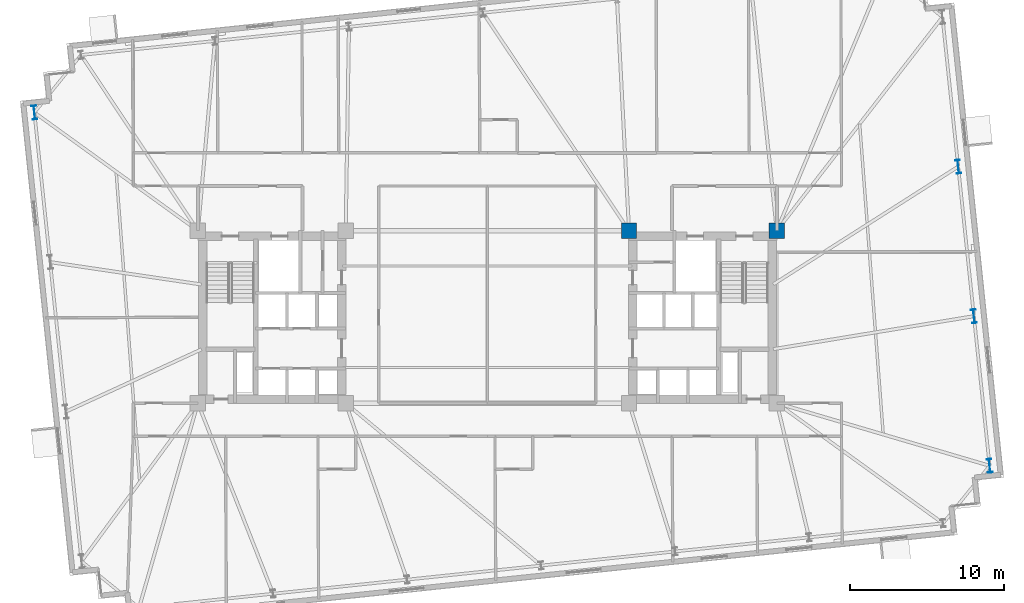
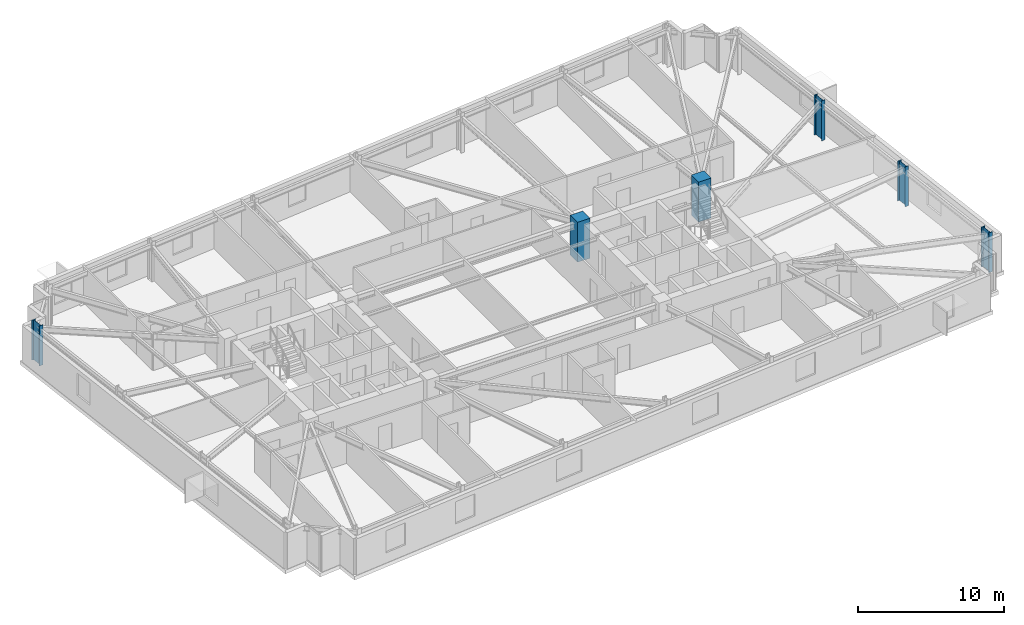
# One storey, part 2 of 18: 6 columns.
"""IFC4 building model written with IfcOpenShell, lengths in metres."""

from ifc_helpers import new_model, si_unit, direction, frame, origin, origin_2d, place, context, subcontext, project, spatial, rectangle, i_section, extrude, material, material_profile, profile_set, type_object, element, save


model = new_model("IFC4")

# Units and contexts
model_context = context("Model", 3, precision=1e-05, world=origin(), true_north=direction((0.0, 1.0)))
body_context = subcontext(model_context, "Body", "Model", "MODEL_VIEW")
ifc_project = project(units=[si_unit("LENGTHUNIT", "METRE"), si_unit("AREAUNIT", "SQUARE_METRE"), si_unit("VOLUMEUNIT", "CUBIC_METRE"), si_unit("PLANEANGLEUNIT", "RADIAN"), si_unit("MASSUNIT", "GRAM", prefix="KILO")], contexts=[model_context])

# Site, building, storey
site_placement = place(None, origin())
site = spatial("IfcSite", under=ifc_project, at=site_placement, CompositionType="ELEMENT")
building_placement = place(site_placement, origin())
building = spatial("IfcBuilding", under=site, at=building_placement, Name="Qobustan Lattice House", CompositionType="ELEMENT")
storey_placement = place(building_placement, frame((0.0, 0.0, 109.14990234375)))
storey = spatial("IfcBuildingStorey", under=building, at=storey_placement, Name="L30", CompositionType="ELEMENT", Elevation=109.14990234375)

# Columns
ifc_material_1 = material(Name="Concrete C60/75", Category="concrete")
ifc_material_profile_1 = material_profile(ifc_material_1, rectangle(XDim=1.0, YDim=1.0, at=origin_2d()), Name="RC1000x1000")
ifc_profile_set_1 = profile_set([ifc_material_profile_1], Name="Concrete C60/75")
column_type_1 = type_object("IfcColumnType", Name="COL-RC-1000", PredefinedType="COLUMN", material=ifc_profile_set_1)
for number, where, z_axis, x_axis, name in (
    (1, (9.199951171875, 5.60009765625, 0.0), (0.0, 0.0, 1.0), (1.0, 0.0, 0.0), "L30 core mega-column CE-NW"),
    (2, (18.800048828125, 5.60009765625, 0.0), (0.0, 0.0, 1.0), (1.0, 0.0, 0.0), "L30 core mega-column CE-NE"),
):
    element("IfcColumn", number, at=place(storey_placement, frame(where, z_axis=z_axis, x_axis=x_axis)), inside=storey, type_object=column_type_1, Name=name, PredefinedType="COLUMN", context=body_context, shape_type="SweptSolid", body=[
        extrude(rectangle(XDim=1.0, YDim=1.0, at=origin_2d()), origin(), (0.0, 0.0, 1.0), 3.35009765625),
    ])
ifc_material_2 = material(Name="Steel S355", Category="steel")
ifc_material_profile_2 = material_profile(ifc_material_2, i_section(OverallWidth=0.300048828125, OverallDepth=0.89990234375, WebThickness=0.0185546875, FlangeThickness=0.034912109375, FilletRadius=0.030029296875, at=origin_2d()), Name="HEB900")
ifc_profile_set_2 = profile_set([ifc_material_profile_2], Name="Steel S355")
column_type_2 = type_object("IfcColumnType", Name="COL-ST-HEB900", PredefinedType="COLUMN", material=ifc_profile_set_2)
for number, where, z_axis, x_axis, name in (
    (3, (32.618896484375, -9.67041015625, 0.0), (0.0, 0.0, 1.0), (0.994521895368, 0.104528463268, 0.0), "L30 B2 perimeter column E1"),
    (4, (31.597900390625, 0.042724609375, 0.0), (0.0, 0.0, 1.0), (0.994521895368, 0.104528463268, 0.0), "L30 B2 perimeter column E2"),
    (5, (30.5771484375, 9.755859375, 0.0), (0.0, 0.0, 1.0), (0.994521895368, 0.104528463268, 0.0), "L30 B2 perimeter column E3"),
    (6, (-29.4189453125, 13.2705078125, 0.0), (0.0, 0.0, 1.0), (0.994521895368, 0.104528463268, 0.0), "L30 B2 perimeter column W1"),
):
    element("IfcColumn", number, at=place(storey_placement, frame(where, z_axis=z_axis, x_axis=x_axis)), inside=storey, type_object=column_type_2, Name=name, PredefinedType="COLUMN", context=body_context, shape_type="SweptSolid", body=[
        extrude(i_section(OverallWidth=0.300048828125, OverallDepth=0.89990234375, WebThickness=0.0185546875, FlangeThickness=0.034912109375, FilletRadius=0.030029296875, at=origin_2d()), origin(), (0.0, 0.0, 1.0), 3.35009765625),
    ])

save(model, "model.ifc")
